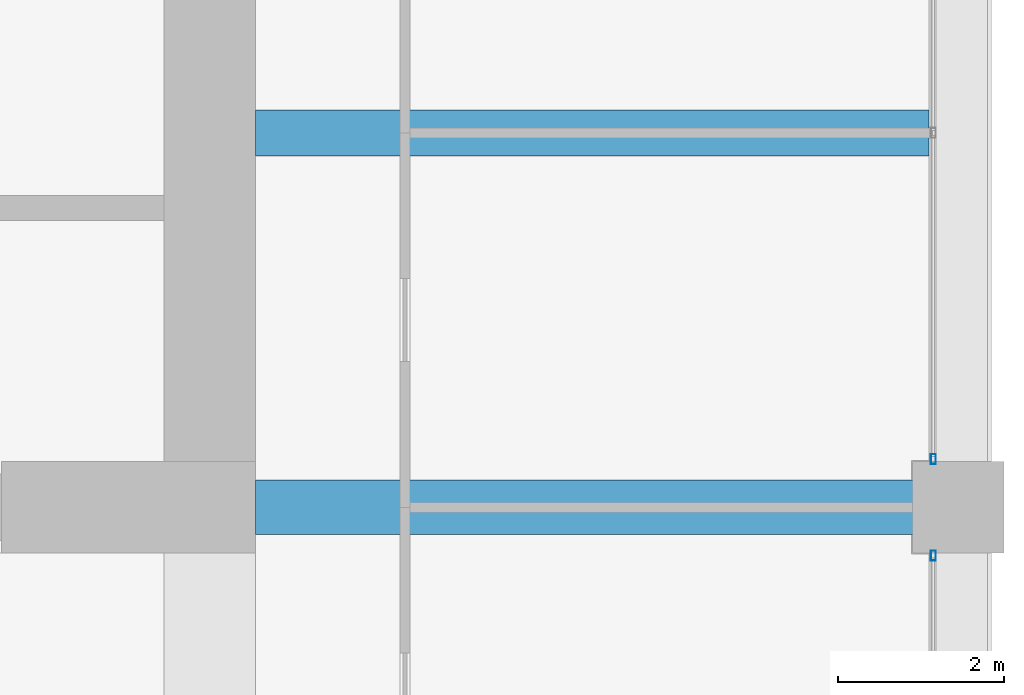
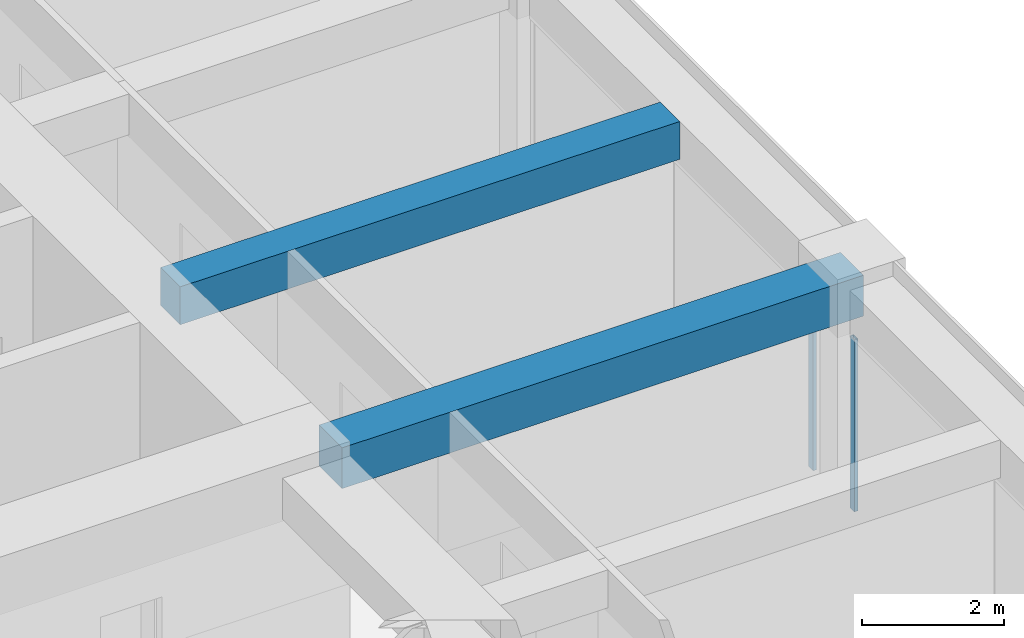
# One storey, part 24 of 44: 2 beams, 2 members, 2 elements without a shape of their own.
"""IFC4 building model written with IfcOpenShell, lengths in metres."""

from ifc_helpers import new_model, si_unit, direction, frame, origin, origin_2d, place, context, subcontext, project, spatial, rectangle, hollow_rectangle, extrude, material, material_profile, profile_set, type_object, element, aggregate, save


model = new_model("IFC4")

# Units and contexts
model_context = context("Model", 3, precision=1e-05, world=origin(), true_north=direction((0.0, 1.0)))
body_context = subcontext(model_context, "Body", "Model", "MODEL_VIEW")
ifc_project = project(units=[si_unit("LENGTHUNIT", "METRE"), si_unit("AREAUNIT", "SQUARE_METRE"), si_unit("VOLUMEUNIT", "CUBIC_METRE"), si_unit("PLANEANGLEUNIT", "RADIAN"), si_unit("MASSUNIT", "GRAM", prefix="KILO")], contexts=[model_context])

# Site, building, storey
site_placement = place(None, origin())
site = spatial("IfcSite", under=ifc_project, at=site_placement, CompositionType="ELEMENT")
building_placement = place(site_placement, origin())
building = spatial("IfcBuilding", under=site, at=building_placement, Name="Zorevar Civic Tower", CompositionType="ELEMENT")
storey_placement = place(building_placement, frame((0.0, 0.0, 259.39990234375)))
storey = spatial("IfcBuildingStorey", under=building, at=storey_placement, Name="L63", CompositionType="ELEMENT", Elevation=259.39990234375)

# Beams
ifc_material_1 = material(Name="Concrete C50/60", Category="concrete")
ifc_material_profile_1 = material_profile(ifc_material_1, rectangle(XDim=0.550048828125, YDim=0.64990234375, at=origin_2d()), Name="RC 550x650")
ifc_profile_set_1 = profile_set([ifc_material_profile_1], Name="Concrete C50/60")
beam_type_1 = type_object("IfcBeamType", Name="Beam RC 550x650", PredefinedType="BEAM", material=ifc_profile_set_1)
beam_1_placement = place(storey_placement, frame((45.550048828125, 22.5, 3.425048828125), z_axis=(1.0, 0.0, 0.0), x_axis=(0.0, 1.0, 0.0)))
element("IfcBeam", 1, at=beam_1_placement, inside=storey, type_object=beam_type_1, Name="Secondary beam L64", PredefinedType="BEAM", context=body_context, shape_type="SweptSolid", body=[
    extrude(rectangle(XDim=0.550048828125, YDim=0.64990234375, at=origin_2d()), origin(), (0.0, 0.0, 1.0), 8.099853515625),
])
ifc_material_2 = material(Name="Concrete C50/60", Category="concrete")
ifc_material_profile_2 = material_profile(ifc_material_2, rectangle(XDim=0.64990234375, YDim=0.699951171875, at=origin_2d()), Name="RC 650x700")
ifc_profile_set_2 = profile_set([ifc_material_profile_2], Name="Concrete C50/60")
beam_type_2 = type_object("IfcBeamType", Name="Beam RC 650x700", PredefinedType="BEAM", material=ifc_profile_set_2)
beam_2_placement = place(storey_placement, frame((45.550048828125, 18.0, 3.400146484375), z_axis=(1.0, 0.0, 0.0), x_axis=(0.0, 1.0, 0.0)))
element("IfcBeam", 2, at=beam_2_placement, inside=storey, type_object=beam_type_2, Name="Girder L64", PredefinedType="BEAM", context=body_context, shape_type="SweptSolid", body=[
    extrude(rectangle(XDim=0.64990234375, YDim=0.699951171875, at=origin_2d()), origin(), (0.0, 0.0, 1.0), 8.449951171875),
])

# Curtain wall, member
ifc_material_3 = material(Name="Dark grey solar-control glass in black aluminium frame", Category="aluminium")
curtain_wall_type = type_object("IfcCurtainWallType", Name="Curtain wall CW5 top zone", PredefinedType="NOTDEFINED", material=ifc_material_3)
curtain_wall_1_placement = place(storey_placement, origin())
curtain_wall_1 = element("IfcCurtainWall", 3, at=curtain_wall_1_placement, inside=storey, type_object=curtain_wall_type, Name="CW5 L63", PredefinedType="NOTDEFINED")
ifc_material_4 = material(Name="Aluminium, black anodised", Category="aluminium")
ifc_material_profile_3 = material_profile(ifc_material_4, hollow_rectangle(XDim=0.06005859375, YDim=0.1201171875, WallThickness=0.0029296875, at=origin_2d()), Name="AL 120x60x3")
ifc_profile_set_3 = profile_set([ifc_material_profile_3], Name="Aluminium, black anodised")
member_type = type_object("IfcMemberType", Name="CW5 mullion AL 120x60x3", PredefinedType="MULLION", material=ifc_profile_set_3)
member_1_placement = place(storey_placement, frame((53.699951171875, 17.419921875, 0.0), z_axis=(0.0, 0.0, 1.0), x_axis=(-1.0, 0.0, 0.0)))
member_1 = element("IfcMember", 4, at=member_1_placement, type_object=member_type, Name="CW5 mullion 3", PredefinedType="MULLION", context=body_context, shape_type="SweptSolid", body=[
    extrude(hollow_rectangle(XDim=0.06005859375, YDim=0.1201171875, WallThickness=0.0029296875, at=origin_2d()), origin(), (0.0, 0.0, 1.0), 2.9501953125),
])
aggregate(curtain_wall_1, [member_1])

curtain_wall_2_placement = place(storey_placement, origin())
curtain_wall_2 = element("IfcCurtainWall", 5, at=curtain_wall_2_placement, inside=storey, type_object=curtain_wall_type, Name="CW5 L63", PredefinedType="NOTDEFINED")
member_2_placement = place(storey_placement, frame((53.699951171875, 18.580078125, 0.0), z_axis=(0.0, 0.0, 1.0), x_axis=(-1.0, 0.0, 0.0)))
member_2 = element("IfcMember", 6, at=member_2_placement, type_object=member_type, Name="CW5 mullion 1", PredefinedType="MULLION", context=body_context, shape_type="SweptSolid", body=[
    extrude(hollow_rectangle(XDim=0.06005859375, YDim=0.1201171875, WallThickness=0.0029296875, at=origin_2d()), origin(), (0.0, 0.0, 1.0), 2.9501953125),
])
aggregate(curtain_wall_2, [member_2])

save(model, "model.ifc")
